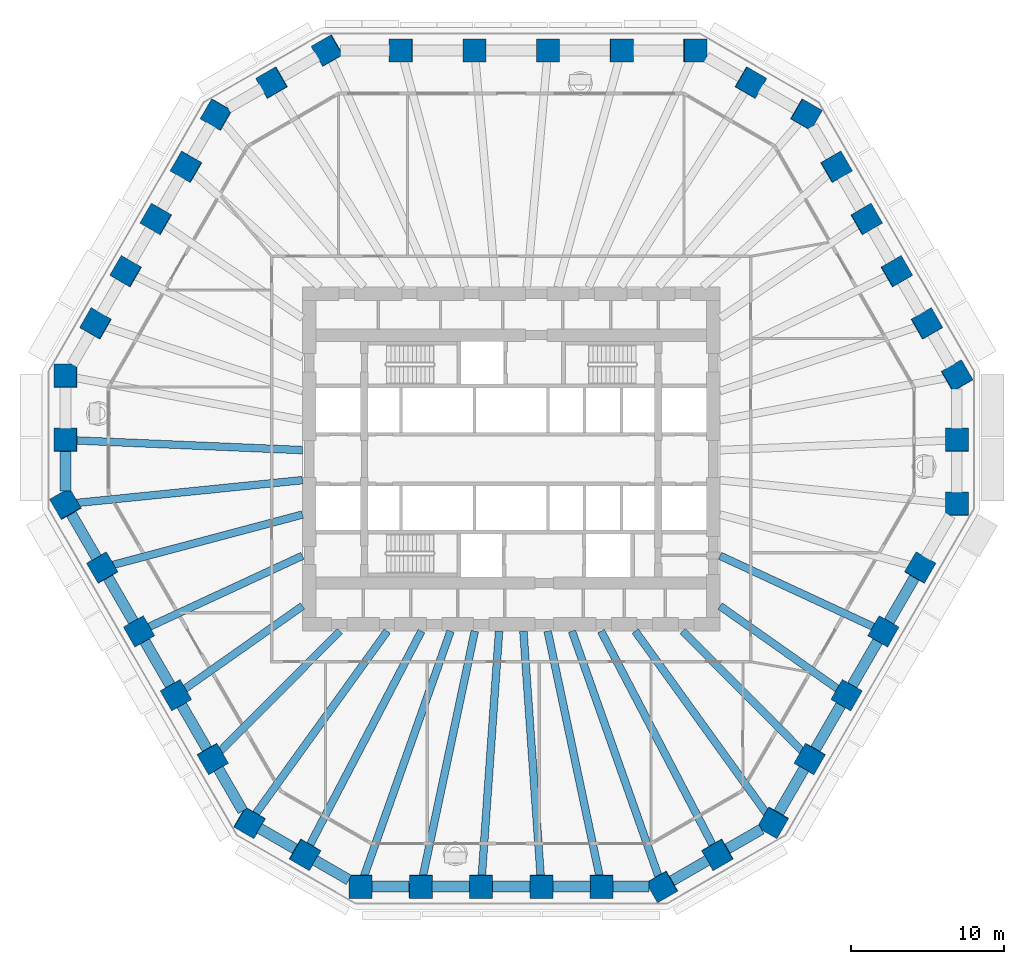
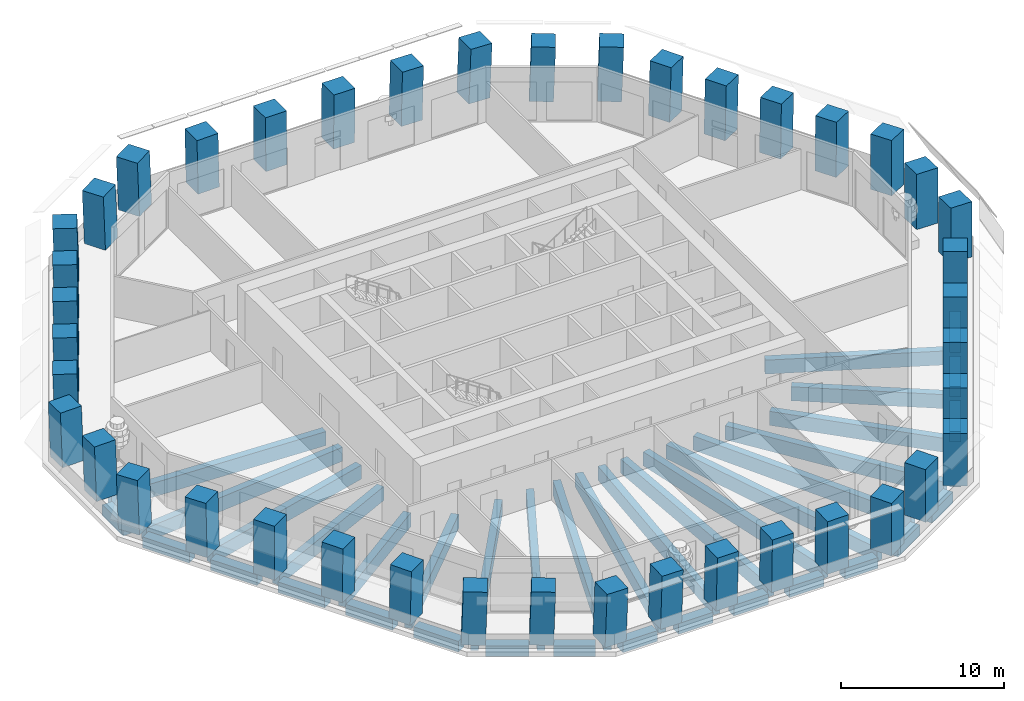
# One storey, part 1 of 12: 42 columns, 38 beams.
"""IFC4 building model written with IfcOpenShell, lengths in metres."""

from ifc_helpers import new_model, si_unit, direction, frame, origin, origin_2d, place, context, subcontext, project, spatial, rectangle, extrude, material, material_profile, profile_set, type_object, element, save


model = new_model("IFC4")

# Units and contexts
model_context = context("Model", 3, precision=1e-05, world=origin(), true_north=direction((0.0, 1.0)))
body_context = subcontext(model_context, "Body", "Model", "MODEL_VIEW")
ifc_project = project(units=[si_unit("LENGTHUNIT", "METRE"), si_unit("AREAUNIT", "SQUARE_METRE"), si_unit("VOLUMEUNIT", "CUBIC_METRE"), si_unit("PLANEANGLEUNIT", "RADIAN"), si_unit("MASSUNIT", "GRAM", prefix="KILO")], contexts=[model_context])

# Site, building, storey
site_placement = place(None, origin())
site = spatial("IfcSite", under=ifc_project, at=site_placement, CompositionType="ELEMENT")
building_placement = place(site_placement, origin())
building = spatial("IfcBuilding", under=site, at=building_placement, Name="Frailejon Research Tower", CompositionType="ELEMENT")
storey_placement = place(building_placement, frame((0.0, 0.0, 54.199951171875)))
storey = spatial("IfcBuildingStorey", under=building, at=storey_placement, Name="L12", CompositionType="ELEMENT", Elevation=54.199951171875)

# Columns
ifc_material_1 = material(Name="Concrete C70/85", Category="concrete")
ifc_material_profile_1 = material_profile(ifc_material_1, rectangle(XDim=1.5, YDim=1.5, at=origin_2d()), Name="Column 1500")
ifc_profile_set_1 = profile_set([ifc_material_profile_1], Name="Concrete C70/85")
column_type = type_object("IfcColumnType", Name="Column 1500", PredefinedType="COLUMN", material=ifc_profile_set_1)
for number, where, z_axis, x_axis, name in (
    (1, (29.13134765625, -2.943115234375, 0.0), (0.018132630042, 0.031385715123, 0.999342856388), (-2.2275817e-05, 0.999507197449, -0.031390472292), "Column C01"),
    (2, (29.13134765625, 1.244384765625, 0.0), (0.018132595726, 0.031445896907, 0.999340965106), (-0.000852885111, 0.999505415626, -0.031435596392), "Column C02"),
    (3, (29.13134765625, 5.431884765625, 0.0), (0.018132595726, 0.031445896907, 0.999340965106), (-0.50065774428, 0.865455051457, -0.018148746509), "Column C03"),
):
    element("IfcColumn", number, at=place(storey_placement, frame(where, z_axis=z_axis, x_axis=x_axis)), inside=storey, type_object=column_type, Name=name, PredefinedType="COLUMN", context=body_context, shape_type="SweptSolid", body=[
        extrude(rectangle(XDim=1.5, YDim=1.5, at=origin_2d()), origin(), (0.0, 0.0, 1.0), 4.052734375),
    ])
column_1_placement = place(storey_placement, frame((27.158935546875, 8.84814453125, 0.0), z_axis=(0.021809609218, 0.025123223878, 0.999446429063), x_axis=(-0.499316957517, 0.86635106376, -0.010881647777)))
element("IfcColumn", 4, at=column_1_placement, inside=storey, type_object=column_type, Name="Column C04", PredefinedType="COLUMN", context=body_context, shape_type="SweptSolid", body=[
    extrude(rectangle(XDim=1.5, YDim=1.5, at=origin_2d()), origin(), (0.0, 0.0, 1.0), 4.05224609375),
])
for number, where, z_axis, x_axis, name in (
    (5, (25.186767578125, 12.26416015625, 0.0), (0.025365582388, 0.018858497119, 0.999500347332), (-0.500321526885, 0.865832042738, -0.003639162491), "Column C05"),
    (6, (23.214599609375, 15.680419921875, 0.0), (0.028980660531, 0.012532177527, 0.999501408624), (-0.499450496938, 0.866334867635, 0.003619147421), "Column C06"),
):
    element("IfcColumn", number, at=place(storey_placement, frame(where, z_axis=z_axis, x_axis=x_axis)), inside=storey, type_object=column_type, Name=name, PredefinedType="COLUMN", context=body_context, shape_type="SweptSolid", body=[
        extrude(rectangle(XDim=1.5, YDim=1.5, at=origin_2d()), origin(), (0.0, 0.0, 1.0), 4.052001953125),
    ])
column_2_placement = place(storey_placement, frame((21.2421875, 19.096435546875, 0.0), z_axis=(0.032654187208, 0.006265748099, 0.999447069363), x_axis=(-0.499519823947, 0.866234008258, 0.010889831076)))
element("IfcColumn", 7, at=column_2_placement, inside=storey, type_object=column_type, Name="Column C07", PredefinedType="COLUMN", context=body_context, shape_type="SweptSolid", body=[
    extrude(rectangle(XDim=1.5, YDim=1.5, at=origin_2d()), origin(), (0.0, 0.0, 1.0), 4.05224609375),
])
for number, where, z_axis, x_axis, name in (
    (8, (19.27001953125, 22.512451171875, 0.0), (0.036265236264, 0.0, 0.999342199969), (-0.865313546461, 0.500246354177, 0.031401456084), "Column C08"),
    (9, (15.643310546875, 24.606201171875, 0.0), (0.036265236264, 0.0, 0.999342199969), (-0.865313546461, 0.500246354177, 0.031401456084), "Column C09"),
    (10, (12.016845703125, 26.699951171875, 0.0), (0.036265236264, 0.0, 0.999342199969), (-0.999342199969, 0.0, 0.036265236264), "Column C10"),
):
    element("IfcColumn", number, at=place(storey_placement, frame(where, z_axis=z_axis, x_axis=x_axis)), inside=storey, type_object=column_type, Name=name, PredefinedType="COLUMN", context=body_context, shape_type="SweptSolid", body=[
        extrude(rectangle(XDim=1.5, YDim=1.5, at=origin_2d()), origin(), (0.0, 0.0, 1.0), 4.052734375),
    ])
column_3_placement = place(storey_placement, frame((7.210205078125, 26.699951171875, 0.0), z_axis=(0.021756257337, 0.0, 0.999763304621), x_axis=(-0.999763304621, 0.0, 0.021756257337)))
element("IfcColumn", 11, at=column_3_placement, inside=storey, type_object=column_type, Name="Column C11", PredefinedType="COLUMN", context=body_context, shape_type="SweptSolid", body=[
    extrude(rectangle(XDim=1.5, YDim=1.5, at=origin_2d()), origin(), (0.0, 0.0, 1.0), 4.051025390625),
])
for number, where, z_axis, x_axis, name in (
    (12, (2.4033203125, 26.699951171875, 0.0), (0.007293795973, 0.0, 0.999973399916), (-0.999973399916, 0.0, 0.007293795973), "Column C12"),
    (13, (-2.4033203125, 26.699951171875, 0.0), (-0.007293795973, 0.0, 0.999973399916), (-0.999973399916, 0.0, -0.007293795973), "Column C13"),
):
    element("IfcColumn", number, at=place(storey_placement, frame(where, z_axis=z_axis, x_axis=x_axis)), inside=storey, type_object=column_type, Name=name, PredefinedType="COLUMN", context=body_context, shape_type="SweptSolid", body=[
        extrude(rectangle(XDim=1.5, YDim=1.5, at=origin_2d()), origin(), (0.0, 0.0, 1.0), 4.050048828125),
    ])
column_4_placement = place(storey_placement, frame((-7.210205078125, 26.699951171875, 0.0), z_axis=(-0.021756257337, 0.0, 0.999763304621), x_axis=(-0.999763304621, 0.0, -0.021756257337)))
element("IfcColumn", 14, at=column_4_placement, inside=storey, type_object=column_type, Name="Column C14", PredefinedType="COLUMN", context=body_context, shape_type="SweptSolid", body=[
    extrude(rectangle(XDim=1.5, YDim=1.5, at=origin_2d()), origin(), (0.0, 0.0, 1.0), 4.051025390625),
])
for number, where, z_axis, x_axis, name in (
    (15, (-12.016845703125, 26.699951171875, 0.0), (-0.036265236264, 0.0, 0.999342199969), (-0.865313546461, -0.500246354177, -0.031401456084), "Column C15"),
    (16, (-15.643310546875, 24.606201171875, 0.0), (-0.036265236264, 0.0, 0.999342199969), (-0.865313546461, -0.500246354177, -0.031401456084), "Column C16"),
    (17, (-19.27001953125, 22.512451171875, 0.0), (-0.036265236264, 0.0, 0.999342199969), (-0.499424867419, -0.866167613071, -0.018123682572), "Column C17"),
):
    element("IfcColumn", number, at=place(storey_placement, frame(where, z_axis=z_axis, x_axis=x_axis)), inside=storey, type_object=column_type, Name=name, PredefinedType="COLUMN", context=body_context, shape_type="SweptSolid", body=[
        extrude(rectangle(XDim=1.5, YDim=1.5, at=origin_2d()), origin(), (0.0, 0.0, 1.0), 4.052734375),
    ])
column_5_placement = place(storey_placement, frame((-21.2421875, 19.096435546875, 0.0), z_axis=(-0.032654187208, 0.006265748099, 0.999447069363), x_axis=(-0.499519823947, -0.866234008258, -0.010889831076)))
element("IfcColumn", 18, at=column_5_placement, inside=storey, type_object=column_type, Name="Column C18", PredefinedType="COLUMN", context=body_context, shape_type="SweptSolid", body=[
    extrude(rectangle(XDim=1.5, YDim=1.5, at=origin_2d()), origin(), (0.0, 0.0, 1.0), 4.05224609375),
])
for number, where, z_axis, x_axis, name in (
    (19, (-23.214599609375, 15.680419921875, 0.0), (-0.028980660531, 0.012532177527, 0.999501408624), (-0.499450496938, -0.866334867635, -0.003619147421), "Column C19"),
    (20, (-25.186767578125, 12.26416015625, 0.0), (-0.025365582388, 0.018858497119, 0.999500347332), (-0.500321526885, -0.865832042738, 0.003639162491), "Column C20"),
):
    element("IfcColumn", number, at=place(storey_placement, frame(where, z_axis=z_axis, x_axis=x_axis)), inside=storey, type_object=column_type, Name=name, PredefinedType="COLUMN", context=body_context, shape_type="SweptSolid", body=[
        extrude(rectangle(XDim=1.5, YDim=1.5, at=origin_2d()), origin(), (0.0, 0.0, 1.0), 4.052001953125),
    ])
column_6_placement = place(storey_placement, frame((-27.158935546875, 8.84814453125, 0.0), z_axis=(-0.021809609218, 0.025123223878, 0.999446429063), x_axis=(-0.499316957517, -0.86635106376, 0.010881647777)))
element("IfcColumn", 21, at=column_6_placement, inside=storey, type_object=column_type, Name="Column C21", PredefinedType="COLUMN", context=body_context, shape_type="SweptSolid", body=[
    extrude(rectangle(XDim=1.5, YDim=1.5, at=origin_2d()), origin(), (0.0, 0.0, 1.0), 4.05224609375),
])
for number, where, z_axis, x_axis, name in (
    (22, (-29.13134765625, 5.431884765625, 0.0), (-0.018132595726, 0.031445896907, 0.999340965106), (-0.000852885111, -0.999505415626, 0.031435596392), "Column C22"),
    (23, (-29.13134765625, 1.244384765625, 0.0), (-0.018132595726, 0.031445896907, 0.999340965106), (-0.000852885111, -0.999505415626, 0.031435596392), "Column C23"),
    (24, (-29.13134765625, -2.943115234375, 0.0), (-0.018132630042, 0.031385715123, 0.999342856388), (0.50014482047, -0.865182814935, 0.036247141934), "Column C24"),
):
    element("IfcColumn", number, at=place(storey_placement, frame(where, z_axis=z_axis, x_axis=x_axis)), inside=storey, type_object=column_type, Name=name, PredefinedType="COLUMN", context=body_context, shape_type="SweptSolid", body=[
        extrude(rectangle(XDim=1.5, YDim=1.5, at=origin_2d()), origin(), (0.0, 0.0, 1.0), 4.052734375),
    ])
column_7_placement = place(storey_placement, frame((-26.727783203125, -7.10595703125, 0.0), z_axis=(-0.010908253887, 0.018863444567, 0.99976256204), x_axis=(0.500638377412, -0.865382225109, 0.021790354016)))
element("IfcColumn", 25, at=column_7_placement, inside=storey, type_object=column_type, Name="Column C25", PredefinedType="COLUMN", context=body_context, shape_type="SweptSolid", body=[
    extrude(rectangle(XDim=1.5, YDim=1.5, at=origin_2d()), origin(), (0.0, 0.0, 1.0), 4.051025390625),
])
for number, where, z_axis, x_axis, name in (
    (26, (-24.32470703125, -11.2685546875, 0.0), (-0.003556481251, 0.006269051696, 0.999974024879), (0.494245814029, -0.869292313203, 0.00720760164), "Column C26"),
    (27, (-21.921142578125, -15.431396484375, 0.0), (0.003616759812, -0.006269050341, 0.999973808685), (0.498177152713, -0.867045063843, -0.007237525818), "Column C27"),
):
    element("IfcColumn", number, at=place(storey_placement, frame(where, z_axis=z_axis, x_axis=x_axis)), inside=storey, type_object=column_type, Name=name, PredefinedType="COLUMN", context=body_context, shape_type="SweptSolid", body=[
        extrude(rectangle(XDim=1.5, YDim=1.5, at=origin_2d()), origin(), (0.0, 0.0, 1.0), 4.050048828125),
    ])
column_8_placement = place(storey_placement, frame((-19.517822265625, -19.593994140625, 0.0), z_axis=(0.010908253887, -0.018863444567, 0.99976256204), x_axis=(0.500638377412, -0.865382225109, -0.021790354016)))
element("IfcColumn", 28, at=column_8_placement, inside=storey, type_object=column_type, Name="Column C28", PredefinedType="COLUMN", context=body_context, shape_type="SweptSolid", body=[
    extrude(rectangle(XDim=1.5, YDim=1.5, at=origin_2d()), origin(), (0.0, 0.0, 1.0), 4.051025390625),
])
for number, where, z_axis, x_axis, name in (
    (29, (-17.114501953125, -23.7568359375, 0.0), (0.018132595726, -0.031445896907, 0.999340965106), (0.865740985748, -0.499504693256, -0.031426215359), "Column C29"),
    (30, (-13.48779296875, -25.8505859375, 0.0), (0.018132595726, -0.031445896907, 0.999340965106), (0.865740985748, -0.499504693256, -0.031426215359), "Column C30"),
    (31, (-9.861328125, -27.944580078125, 0.0), (0.018132630042, -0.031385715123, 0.999342856388), (0.999835590341, 0.00057309768, -0.018123571572), "Column C31"),
):
    element("IfcColumn", number, at=place(storey_placement, frame(where, z_axis=z_axis, x_axis=x_axis)), inside=storey, type_object=column_type, Name=name, PredefinedType="COLUMN", context=body_context, shape_type="SweptSolid", body=[
        extrude(rectangle(XDim=1.5, YDim=1.5, at=origin_2d()), origin(), (0.0, 0.0, 1.0), 4.052734375),
    ])
column_9_placement = place(storey_placement, frame((-5.916748046875, -27.944580078125, 0.0), z_axis=(0.010844578562, -0.031389030172, 0.999448409824), x_axis=(0.999940901456, -0.000426521309, -0.010863317853)))
element("IfcColumn", 32, at=column_9_placement, inside=storey, type_object=column_type, Name="Column C32", PredefinedType="COLUMN", context=body_context, shape_type="SweptSolid", body=[
    extrude(rectangle(XDim=1.5, YDim=1.5, at=origin_2d()), origin(), (0.0, 0.0, 1.0), 4.05224609375),
])
for number, where, z_axis, x_axis, name in (
    (33, (-1.972412109375, -27.944580078125, 0.0), (0.003675298481, -0.031390664074, 0.999500434412), (0.999992304508, 0.001486966471, -0.003630406959), "Column C33"),
    (34, (1.972412109375, -27.944580078125, 0.0), (-0.003675298481, -0.031390664074, 0.999500434412), (0.999992304508, -0.001486966471, 0.003630406959), "Column C34"),
):
    element("IfcColumn", number, at=place(storey_placement, frame(where, z_axis=z_axis, x_axis=x_axis)), inside=storey, type_object=column_type, Name=name, PredefinedType="COLUMN", context=body_context, shape_type="SweptSolid", body=[
        extrude(rectangle(XDim=1.5, YDim=1.5, at=origin_2d()), origin(), (0.0, 0.0, 1.0), 4.052001953125),
    ])
column_10_placement = place(storey_placement, frame((5.916748046875, -27.944580078125, 0.0), z_axis=(-0.010844578562, -0.031389030172, 0.999448409824), x_axis=(0.999940901456, 0.000426521309, 0.010863317853)))
element("IfcColumn", 35, at=column_10_placement, inside=storey, type_object=column_type, Name="Column C35", PredefinedType="COLUMN", context=body_context, shape_type="SweptSolid", body=[
    extrude(rectangle(XDim=1.5, YDim=1.5, at=origin_2d()), origin(), (0.0, 0.0, 1.0), 4.05224609375),
])
for number, where, z_axis, x_axis, name in (
    (36, (9.861328125, -27.944580078125, 0.0), (-0.018132630042, -0.031385715123, 0.999342856388), (0.865884970752, 0.499257274245, 0.031390946777), "Column C36"),
    (37, (13.48779296875, -25.8505859375, 0.0), (-0.018132595726, -0.031445896907, 0.999340965106), (0.865740985748, 0.499504693256, 0.031426215359), "Column C37"),
    (38, (17.114501953125, -23.7568359375, 0.0), (-0.018132595726, -0.031445896907, 0.999340965106), (0.499425428362, 0.865596098728, 0.036299247542), "Column C38"),
):
    element("IfcColumn", number, at=place(storey_placement, frame(where, z_axis=z_axis, x_axis=x_axis)), inside=storey, type_object=column_type, Name=name, PredefinedType="COLUMN", context=body_context, shape_type="SweptSolid", body=[
        extrude(rectangle(XDim=1.5, YDim=1.5, at=origin_2d()), origin(), (0.0, 0.0, 1.0), 4.052734375),
    ])
column_11_placement = place(storey_placement, frame((19.517822265625, -19.593994140625, 0.0), z_axis=(-0.010908253887, -0.018863444567, 0.99976256204), x_axis=(0.500638377412, 0.865382225109, 0.021790354016)))
element("IfcColumn", 39, at=column_11_placement, inside=storey, type_object=column_type, Name="Column C39", PredefinedType="COLUMN", context=body_context, shape_type="SweptSolid", body=[
    extrude(rectangle(XDim=1.5, YDim=1.5, at=origin_2d()), origin(), (0.0, 0.0, 1.0), 4.051025390625),
])
for number, where, z_axis, x_axis, name in (
    (40, (21.921142578125, -15.431396484375, 0.0), (-0.003616759812, -0.006269050341, 0.999973808685), (0.498177152713, 0.867045063843, 0.007237525818), "Column C40"),
    (41, (24.32470703125, -11.2685546875, 0.0), (0.003556481251, 0.006269051696, 0.999974024879), (0.494245814029, 0.869292313203, -0.00720760164), "Column C41"),
):
    element("IfcColumn", number, at=place(storey_placement, frame(where, z_axis=z_axis, x_axis=x_axis)), inside=storey, type_object=column_type, Name=name, PredefinedType="COLUMN", context=body_context, shape_type="SweptSolid", body=[
        extrude(rectangle(XDim=1.5, YDim=1.5, at=origin_2d()), origin(), (0.0, 0.0, 1.0), 4.050048828125),
    ])
column_12_placement = place(storey_placement, frame((26.727783203125, -7.10595703125, 0.0), z_axis=(0.010908253887, 0.018863444567, 0.99976256204), x_axis=(0.500638377412, 0.865382225109, -0.021790354016)))
element("IfcColumn", 42, at=column_12_placement, inside=storey, type_object=column_type, Name="Column C42", PredefinedType="COLUMN", context=body_context, shape_type="SweptSolid", body=[
    extrude(rectangle(XDim=1.5, YDim=1.5, at=origin_2d()), origin(), (0.0, 0.0, 1.0), 4.051025390625),
])

# Beams
ifc_material_2 = material(Name="Concrete C60/75", Category="concrete")
ifc_material_profile_2 = material_profile(ifc_material_2, rectangle(XDim=0.5, YDim=1.050048828125, at=origin_2d()), Name="Girder 500x1050")
ifc_profile_set_2 = profile_set([ifc_material_profile_2], Name="Concrete C60/75")
beam_type_1 = type_object("IfcBeamType", Name="Girder 500x1050", PredefinedType="BEAM", material=ifc_profile_set_2)
beam_1_placement = place(storey_placement, frame((-28.53125, 1.218994140625, -0.824951171875), z_axis=(0.999088017262, -0.042698170505, 0.0), x_axis=(0.042698170505, 0.999088017262, 0.0)))
element("IfcBeam", 43, at=beam_1_placement, inside=storey, type_object=beam_type_1, Name="Girder 500x1050", PredefinedType="BEAM", context=body_context, shape_type="SweptSolid", body=[
    extrude(rectangle(XDim=0.5, YDim=1.050048828125, at=origin_2d()), origin(), (0.0, 0.0, 1.0), 14.89501953125),
])
beam_2_placement = place(storey_placement, frame((-28.462158203125, -2.87548828125, -0.824951171875), z_axis=(0.994934538625, 0.100524941435, 0.0), x_axis=(-0.100524941435, 0.994934538625, 0.0)))
element("IfcBeam", 44, at=beam_2_placement, inside=storey, type_object=beam_type_1, Name="Girder 500x1050", PredefinedType="BEAM", context=body_context, shape_type="SweptSolid", body=[
    extrude(rectangle(XDim=0.5, YDim=1.050048828125, at=origin_2d()), origin(), (0.0, 0.0, 1.0), 14.8876953125),
])
beam_3_placement = place(storey_placement, frame((-26.1220703125, -6.94482421875, -0.824951171875), z_axis=(0.966427456554, 0.25693962563, 0.0), x_axis=(-0.25693962563, 0.966427456554, 0.0)))
element("IfcBeam", 45, at=beam_3_placement, inside=storey, type_object=beam_type_1, Name="Girder 500x1050", PredefinedType="BEAM", context=body_context, shape_type="SweptSolid", body=[
    extrude(rectangle(XDim=0.5, YDim=1.050048828125, at=origin_2d()), origin(), (0.0, 0.0, 1.0), 12.905517578125),
])
beam_4_placement = place(storey_placement, frame((-23.77734375, -11.01513671875, -0.824951171875), z_axis=(0.907363719541, 0.420346381525, 0.0), x_axis=(-0.420346381525, 0.907363719541, 0.0)))
element("IfcBeam", 46, at=beam_4_placement, inside=storey, type_object=beam_type_1, Name="Girder 500x1050", PredefinedType="BEAM", context=body_context, shape_type="SweptSolid", body=[
    extrude(rectangle(XDim=0.5, YDim=1.050048828125, at=origin_2d()), origin(), (0.0, 0.0, 1.0), 11.161376953125),
])
beam_5_placement = place(storey_placement, frame((-21.427978515625, -15.084228515625, -0.824951171875), z_axis=(0.817713349394, 0.575625640693, 0.0), x_axis=(-0.575625640693, 0.817713349394, 0.0)))
element("IfcBeam", 47, at=beam_5_placement, inside=storey, type_object=beam_type_1, Name="Girder 500x1050", PredefinedType="BEAM", context=body_context, shape_type="SweptSolid", body=[
    extrude(rectangle(XDim=0.5, YDim=1.050048828125, at=origin_2d()), origin(), (0.0, 0.0, 1.0), 9.511962890625),
])
beam_6_placement = place(storey_placement, frame((-19.075439453125, -19.14990234375, -0.824951171875), z_axis=(0.705726038241, 0.708484833253, 0.0), x_axis=(-0.708484833253, 0.705726038241, 0.0)))
element("IfcBeam", 48, at=beam_6_placement, inside=storey, type_object=beam_type_1, Name="Girder 500x1050", PredefinedType="BEAM", context=body_context, shape_type="SweptSolid", body=[
    extrude(rectangle(XDim=0.5, YDim=1.050048828125, at=origin_2d()), origin(), (0.0, 0.0, 1.0), 11.150390625),
])
beam_7_placement = place(storey_placement, frame((-16.761474609375, -23.26708984375, -0.824951171875), z_axis=(0.584512713095, 0.811384550155, 0.0), x_axis=(-0.811384550155, 0.584512713095, 0.0)))
element("IfcBeam", 49, at=beam_7_placement, inside=storey, type_object=beam_type_1, Name="Girder 500x1050", PredefinedType="BEAM", context=body_context, shape_type="SweptSolid", body=[
    extrude(rectangle(XDim=0.5, YDim=1.050048828125, at=origin_2d()), origin(), (0.0, 0.0, 1.0), 14.810546875),
])
beam_8_placement = place(storey_placement, frame((-13.2099609375, -25.318115234375, -0.824951171875), z_axis=(0.462575997189, 0.886579633662, 0.0), x_axis=(-0.886579633662, 0.462575997189, 0.0)))
element("IfcBeam", 50, at=beam_8_placement, inside=storey, type_object=beam_type_1, Name="Girder 500x1050", PredefinedType="BEAM", context=body_context, shape_type="SweptSolid", body=[
    extrude(rectangle(XDim=0.5, YDim=1.050048828125, at=origin_2d()), origin(), (0.0, 0.0, 1.0), 15.867919921875),
])
beam_9_placement = place(storey_placement, frame((-9.646484375, -27.3359375, -0.824951171875), z_axis=(0.332774450213, 0.943006450288, 0.0), x_axis=(-0.943006450288, 0.332774450213, 0.0)))
element("IfcBeam", 51, at=beam_9_placement, inside=storey, type_object=beam_type_1, Name="Girder 500x1050", PredefinedType="BEAM", context=body_context, shape_type="SweptSolid", body=[
    extrude(rectangle(XDim=0.5, YDim=1.050048828125, at=origin_2d()), origin(), (0.0, 0.0, 1.0), 17.05810546875),
])
beam_10_placement = place(storey_placement, frame((-5.7890625, -27.34130859375, -0.824951171875), z_axis=(0.207136180032, 0.978312119378, 0.0), x_axis=(-0.978312119378, 0.207136180032, 0.0)))
element("IfcBeam", 52, at=beam_10_placement, inside=storey, type_object=beam_type_1, Name="Girder 500x1050", PredefinedType="BEAM", context=body_context, shape_type="SweptSolid", body=[
    extrude(rectangle(XDim=0.5, YDim=1.050048828125, at=origin_2d()), origin(), (0.0, 0.0, 1.0), 16.447998046875),
])
for number, where, z_axis, x_axis, name in (
    (53, (-1.929931640625, -27.343994140625, -0.824951171875), (0.070409309842, 0.997518184841, 0.0), (-0.997518184841, 0.070409309842, 0.0), "Girder 500x1050"),
    (54, (1.929931640625, -27.343994140625, -0.824951171875), (-0.070409309842, 0.997518184841, 0.0), (-0.997518184841, -0.070409309842, 0.0), "Girder 500x1050"),
):
    element("IfcBeam", number, at=place(storey_placement, frame(where, z_axis=z_axis, x_axis=x_axis)), inside=storey, type_object=beam_type_1, Name=name, PredefinedType="BEAM", context=body_context, shape_type="SweptSolid", body=[
        extrude(rectangle(XDim=0.5, YDim=1.050048828125, at=origin_2d()), origin(), (0.0, 0.0, 1.0), 16.134033203125),
    ])
beam_11_placement = place(storey_placement, frame((5.7890625, -27.34130859375, -0.824951171875), z_axis=(-0.207136180032, 0.978312119378, 0.0), x_axis=(-0.978312119378, -0.207136180032, 0.0)))
element("IfcBeam", 55, at=beam_11_placement, inside=storey, type_object=beam_type_1, Name="Girder 500x1050", PredefinedType="BEAM", context=body_context, shape_type="SweptSolid", body=[
    extrude(rectangle(XDim=0.5, YDim=1.050048828125, at=origin_2d()), origin(), (0.0, 0.0, 1.0), 16.447998046875),
])
beam_12_placement = place(storey_placement, frame((9.657470703125, -27.366455078125, -0.824951171875), z_axis=(-0.33278574536, 0.943002464305, 0.0), x_axis=(-0.943002464305, -0.33278574536, 0.0)))
element("IfcBeam", 56, at=beam_12_placement, inside=storey, type_object=beam_type_1, Name="Girder 500x1050", PredefinedType="BEAM", context=body_context, shape_type="SweptSolid", body=[
    extrude(rectangle(XDim=0.5, YDim=1.050048828125, at=origin_2d()), origin(), (0.0, 0.0, 1.0), 17.090576171875),
])
beam_13_placement = place(storey_placement, frame((13.2099609375, -25.318115234375, -0.824951171875), z_axis=(-0.462575997189, 0.886579633662, 0.0), x_axis=(-0.886579633662, -0.462575997189, 0.0)))
element("IfcBeam", 57, at=beam_13_placement, inside=storey, type_object=beam_type_1, Name="Girder 500x1050", PredefinedType="BEAM", context=body_context, shape_type="SweptSolid", body=[
    extrude(rectangle(XDim=0.5, YDim=1.050048828125, at=origin_2d()), origin(), (0.0, 0.0, 1.0), 15.867919921875),
])
beam_14_placement = place(storey_placement, frame((16.72119140625, -23.211181640625, -0.824951171875), z_axis=(-0.584512376626, 0.811384792544, 0.0), x_axis=(-0.811384792544, -0.584512376626, 0.0)))
element("IfcBeam", 58, at=beam_14_placement, inside=storey, type_object=beam_type_1, Name="Girder 500x1050", PredefinedType="BEAM", context=body_context, shape_type="SweptSolid", body=[
    extrude(rectangle(XDim=0.5, YDim=1.050048828125, at=origin_2d()), origin(), (0.0, 0.0, 1.0), 14.74169921875),
])
beam_15_placement = place(storey_placement, frame((19.075439453125, -19.14990234375, -0.824951171875), z_axis=(-0.705726038241, 0.708484833253, 0.0), x_axis=(-0.708484833253, -0.705726038241, 0.0)))
element("IfcBeam", 59, at=beam_15_placement, inside=storey, type_object=beam_type_1, Name="Girder 500x1050", PredefinedType="BEAM", context=body_context, shape_type="SweptSolid", body=[
    extrude(rectangle(XDim=0.5, YDim=1.050048828125, at=origin_2d()), origin(), (0.0, 0.0, 1.0), 11.150390625),
])
beam_16_placement = place(storey_placement, frame((21.427978515625, -15.084228515625, -0.824951171875), z_axis=(-0.817713349394, 0.575625640693, 0.0), x_axis=(-0.575625640693, -0.817713349394, 0.0)))
element("IfcBeam", 60, at=beam_16_placement, inside=storey, type_object=beam_type_1, Name="Girder 500x1050", PredefinedType="BEAM", context=body_context, shape_type="SweptSolid", body=[
    extrude(rectangle(XDim=0.5, YDim=1.050048828125, at=origin_2d()), origin(), (0.0, 0.0, 1.0), 9.511962890625),
])
beam_17_placement = place(storey_placement, frame((23.77734375, -11.01513671875, -0.824951171875), z_axis=(-0.907363719541, 0.420346381525, 0.0), x_axis=(-0.420346381525, -0.907363719541, 0.0)))
element("IfcBeam", 61, at=beam_17_placement, inside=storey, type_object=beam_type_1, Name="Girder 500x1050", PredefinedType="BEAM", context=body_context, shape_type="SweptSolid", body=[
    extrude(rectangle(XDim=0.5, YDim=1.050048828125, at=origin_2d()), origin(), (0.0, 0.0, 1.0), 11.161376953125),
])
ifc_material_3 = material(Name="Concrete C60/75", Category="concrete")
ifc_material_profile_3 = material_profile(ifc_material_3, rectangle(XDim=0.699951171875, YDim=0.800048828125, at=origin_2d()), Name="Spandrel 700x800")
ifc_profile_set_3 = profile_set([ifc_material_profile_3], Name="Concrete C60/75")
beam_type_2 = type_object("IfcBeamType", Name="Spandrel 700x800", PredefinedType="BEAM", material=ifc_profile_set_3)
beam_18_placement = place(storey_placement, frame((-29.13134765625, 0.494384765625, -0.75), z_axis=(0.0, -1.0, 0.0), x_axis=(1.0, 0.0, 0.0)))
element("IfcBeam", 62, at=beam_18_placement, inside=storey, type_object=beam_type_2, Name="Spandrel 700x800", PredefinedType="BEAM", context=body_context, shape_type="SweptSolid", body=[
    extrude(rectangle(XDim=0.699951171875, YDim=0.800048828125, at=origin_2d()), origin(), (0.0, 0.0, 1.0), 2.571533203125),
])
beam_19_placement = place(storey_placement, frame((-28.75634765625, -3.592529296875, -0.75), z_axis=(0.500037726187, -0.866003621464, 0.0), x_axis=(0.866003621464, 0.500037726187, 0.0)))
element("IfcBeam", 63, at=beam_19_placement, inside=storey, type_object=beam_type_2, Name="Spandrel 700x800", PredefinedType="BEAM", context=body_context, shape_type="SweptSolid", body=[
    extrude(rectangle(XDim=0.699951171875, YDim=0.800048828125, at=origin_2d()), origin(), (0.0, 0.0, 1.0), 3.306884765625),
])
beam_20_placement = place(storey_placement, frame((-26.352783203125, -7.75537109375, -0.75), z_axis=(0.499926977343, -0.866067559331, 0.0), x_axis=(0.866067559331, 0.499926977343, 0.0)))
element("IfcBeam", 64, at=beam_20_placement, inside=storey, type_object=beam_type_2, Name="Spandrel 700x800", PredefinedType="BEAM", context=body_context, shape_type="SweptSolid", body=[
    extrude(rectangle(XDim=0.699951171875, YDim=0.800048828125, at=origin_2d()), origin(), (0.0, 0.0, 1.0), 3.306640625),
])
beam_21_placement = place(storey_placement, frame((-23.94970703125, -11.918212890625, -0.75), z_axis=(0.500037726187, -0.866003621464, 0.0), x_axis=(0.866003621464, 0.500037726187, 0.0)))
element("IfcBeam", 65, at=beam_21_placement, inside=storey, type_object=beam_type_2, Name="Spandrel 700x800", PredefinedType="BEAM", context=body_context, shape_type="SweptSolid", body=[
    extrude(rectangle(XDim=0.699951171875, YDim=0.800048828125, at=origin_2d()), origin(), (0.0, 0.0, 1.0), 3.306884765625),
])
beam_22_placement = place(storey_placement, frame((-21.546142578125, -16.080810546875, -0.75), z_axis=(0.499982354831, -0.866035590988, 0.0), x_axis=(0.866035590988, 0.499982354831, 0.0)))
element("IfcBeam", 66, at=beam_22_placement, inside=storey, type_object=beam_type_2, Name="Spandrel 700x800", PredefinedType="BEAM", context=body_context, shape_type="SweptSolid", body=[
    extrude(rectangle(XDim=0.699951171875, YDim=0.800048828125, at=origin_2d()), origin(), (0.0, 0.0, 1.0), 3.306640625),
])
beam_23_placement = place(storey_placement, frame((-19.142822265625, -20.24365234375, -0.75), z_axis=(0.50003154259, -0.866007191896, 0.0), x_axis=(0.866007191896, 0.50003154259, 0.0)))
element("IfcBeam", 67, at=beam_23_placement, inside=storey, type_object=beam_type_2, Name="Spandrel 700x800", PredefinedType="BEAM", context=body_context, shape_type="SweptSolid", body=[
    extrude(rectangle(XDim=0.699951171875, YDim=0.800048828125, at=origin_2d()), origin(), (0.0, 0.0, 1.0), 3.190673828125),
])
beam_24_placement = place(storey_placement, frame((-16.46484375, -24.1318359375, -0.75), z_axis=(0.866020687897, -0.500008168067, 0.0), x_axis=(0.500008168067, 0.866020687897, 0.0)))
element("IfcBeam", 68, at=beam_24_placement, inside=storey, type_object=beam_type_2, Name="Spandrel 700x800", PredefinedType="BEAM", context=body_context, shape_type="SweptSolid", body=[
    extrude(rectangle(XDim=0.699951171875, YDim=0.800048828125, at=origin_2d()), origin(), (0.0, 0.0, 1.0), 2.6875),
])
beam_25_placement = place(storey_placement, frame((-12.83837890625, -26.2255859375, -0.75), z_axis=(0.866008514048, -0.50002925274, 0.0), x_axis=(0.50002925274, 0.866008514048, 0.0)))
element("IfcBeam", 69, at=beam_25_placement, inside=storey, type_object=beam_type_2, Name="Spandrel 700x800", PredefinedType="BEAM", context=body_context, shape_type="SweptSolid", body=[
    extrude(rectangle(XDim=0.699951171875, YDim=0.800048828125, at=origin_2d()), origin(), (0.0, 0.0, 1.0), 2.571533203125),
])
beam_26_placement = place(storey_placement, frame((-9.111328125, -27.944580078125, -0.75), z_axis=(1.0, 0.0, 0.0), x_axis=(0.0, 1.0, 0.0)))
element("IfcBeam", 70, at=beam_26_placement, inside=storey, type_object=beam_type_2, Name="Spandrel 700x800", PredefinedType="BEAM", context=body_context, shape_type="SweptSolid", body=[
    extrude(rectangle(XDim=0.699951171875, YDim=0.800048828125, at=origin_2d()), origin(), (0.0, 0.0, 1.0), 2.444580078125),
])
beam_27_placement = place(storey_placement, frame((-5.166748046875, -27.944580078125, -0.75), z_axis=(1.0, 0.0, 0.0), x_axis=(0.0, 1.0, 0.0)))
element("IfcBeam", 71, at=beam_27_placement, inside=storey, type_object=beam_type_2, Name="Spandrel 700x800", PredefinedType="BEAM", context=body_context, shape_type="SweptSolid", body=[
    extrude(rectangle(XDim=0.699951171875, YDim=0.800048828125, at=origin_2d()), origin(), (0.0, 0.0, 1.0), 2.4443359375),
])
beam_28_placement = place(storey_placement, frame((-1.222412109375, -27.944580078125, -0.75), z_axis=(1.0, 0.0, 0.0), x_axis=(0.0, 1.0, 0.0)))
element("IfcBeam", 72, at=beam_28_placement, inside=storey, type_object=beam_type_2, Name="Spandrel 700x800", PredefinedType="BEAM", context=body_context, shape_type="SweptSolid", body=[
    extrude(rectangle(XDim=0.699951171875, YDim=0.800048828125, at=origin_2d()), origin(), (0.0, 0.0, 1.0), 2.44482421875),
])
beam_29_placement = place(storey_placement, frame((2.722412109375, -27.944580078125, -0.75), z_axis=(1.0, 0.0, 0.0), x_axis=(0.0, 1.0, 0.0)))
element("IfcBeam", 73, at=beam_29_placement, inside=storey, type_object=beam_type_2, Name="Spandrel 700x800", PredefinedType="BEAM", context=body_context, shape_type="SweptSolid", body=[
    extrude(rectangle(XDim=0.699951171875, YDim=0.800048828125, at=origin_2d()), origin(), (0.0, 0.0, 1.0), 2.4443359375),
])
beam_30_placement = place(storey_placement, frame((6.666748046875, -27.944580078125, -0.75), z_axis=(1.0, 0.0, 0.0), x_axis=(0.0, 1.0, 0.0)))
element("IfcBeam", 74, at=beam_30_placement, inside=storey, type_object=beam_type_2, Name="Spandrel 700x800", PredefinedType="BEAM", context=body_context, shape_type="SweptSolid", body=[
    extrude(rectangle(XDim=0.699951171875, YDim=0.800048828125, at=origin_2d()), origin(), (0.0, 0.0, 1.0), 2.32861328125),
])
beam_31_placement = place(storey_placement, frame((10.510986328125, -27.569580078125, -0.75), z_axis=(0.86598134975, 0.500076296064, 0.0), x_axis=(-0.500076296064, 0.86598134975, 0.0)))
element("IfcBeam", 75, at=beam_31_placement, inside=storey, type_object=beam_type_2, Name="Spandrel 700x800", PredefinedType="BEAM", context=body_context, shape_type="SweptSolid", body=[
    extrude(rectangle(XDim=0.699951171875, YDim=0.800048828125, at=origin_2d()), origin(), (0.0, 0.0, 1.0), 2.6875),
])
beam_32_placement = place(storey_placement, frame((14.137451171875, -25.4755859375, -0.75), z_axis=(0.86604962328, 0.499958048256, 0.0), x_axis=(-0.499958048256, 0.86604962328, 0.0)))
element("IfcBeam", 76, at=beam_32_placement, inside=storey, type_object=beam_type_2, Name="Spandrel 700x800", PredefinedType="BEAM", context=body_context, shape_type="SweptSolid", body=[
    extrude(rectangle(XDim=0.699951171875, YDim=0.800048828125, at=origin_2d()), origin(), (0.0, 0.0, 1.0), 2.571533203125),
])
for number, where, z_axis, x_axis, name in (
    (77, (17.489501953125, -23.107421875, -0.75), (0.499982354831, 0.866035590988, 0.0), (-0.866035590988, 0.499982354831, 0.0), "Spandrel 700x800"),
    (78, (19.892822265625, -18.944580078125, -0.75), (0.499982354831, 0.866035590988, 0.0), (-0.866035590988, 0.499982354831, 0.0), "Spandrel 700x800"),
):
    element("IfcBeam", number, at=place(storey_placement, frame(where, z_axis=z_axis, x_axis=x_axis)), inside=storey, type_object=beam_type_2, Name=name, PredefinedType="BEAM", context=body_context, shape_type="SweptSolid", body=[
        extrude(rectangle(XDim=0.699951171875, YDim=0.800048828125, at=origin_2d()), origin(), (0.0, 0.0, 1.0), 3.306640625),
    ])
beam_33_placement = place(storey_placement, frame((22.296142578125, -14.781982421875, -0.75), z_axis=(0.500037726187, 0.866003621464, 0.0), x_axis=(-0.866003621464, 0.500037726187, 0.0)))
element("IfcBeam", 79, at=beam_33_placement, inside=storey, type_object=beam_type_2, Name="Spandrel 700x800", PredefinedType="BEAM", context=body_context, shape_type="SweptSolid", body=[
    extrude(rectangle(XDim=0.699951171875, YDim=0.800048828125, at=origin_2d()), origin(), (0.0, 0.0, 1.0), 3.306884765625),
])
beam_34_placement = place(storey_placement, frame((24.69970703125, -10.619140625, -0.75), z_axis=(0.499926977343, 0.866067559331, 0.0), x_axis=(-0.866067559331, 0.499926977343, 0.0)))
element("IfcBeam", 80, at=beam_34_placement, inside=storey, type_object=beam_type_2, Name="Spandrel 700x800", PredefinedType="BEAM", context=body_context, shape_type="SweptSolid", body=[
    extrude(rectangle(XDim=0.699951171875, YDim=0.800048828125, at=origin_2d()), origin(), (0.0, 0.0, 1.0), 3.306640625),
])

save(model, "model.ifc")
